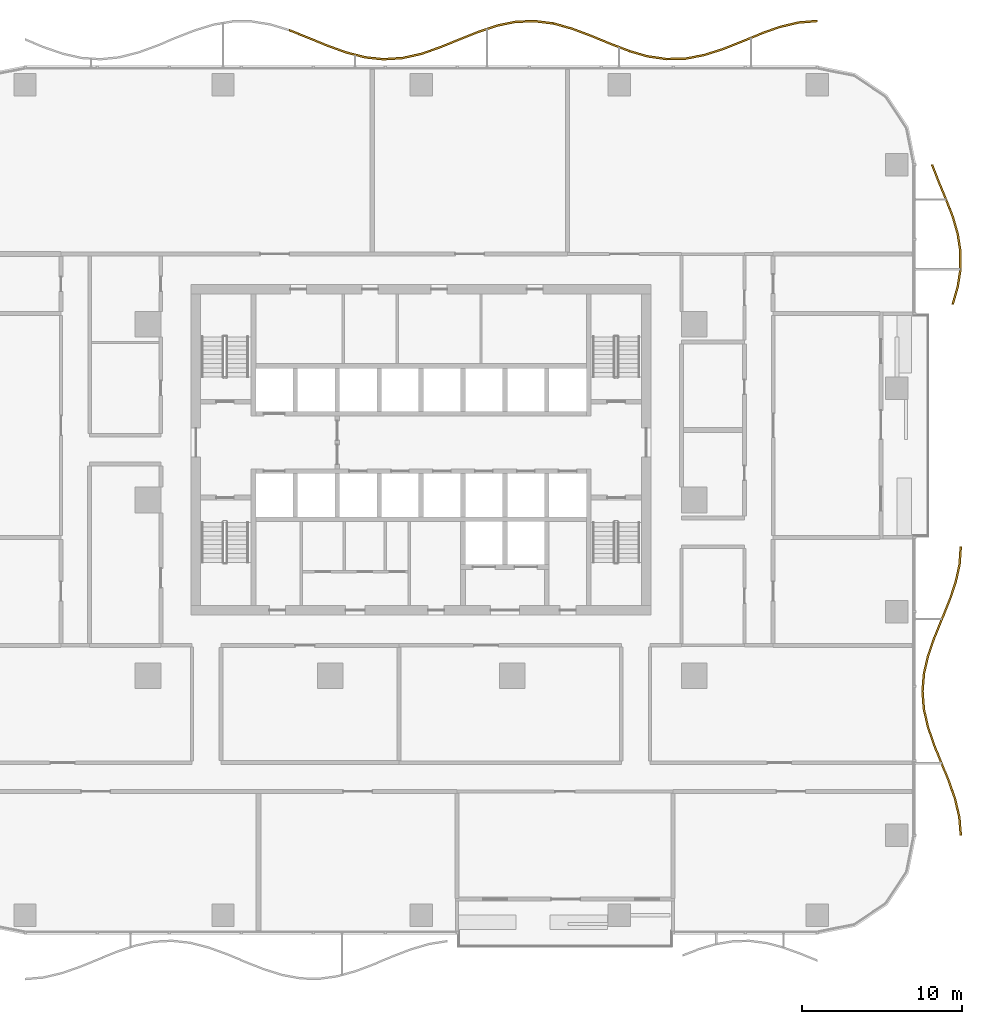
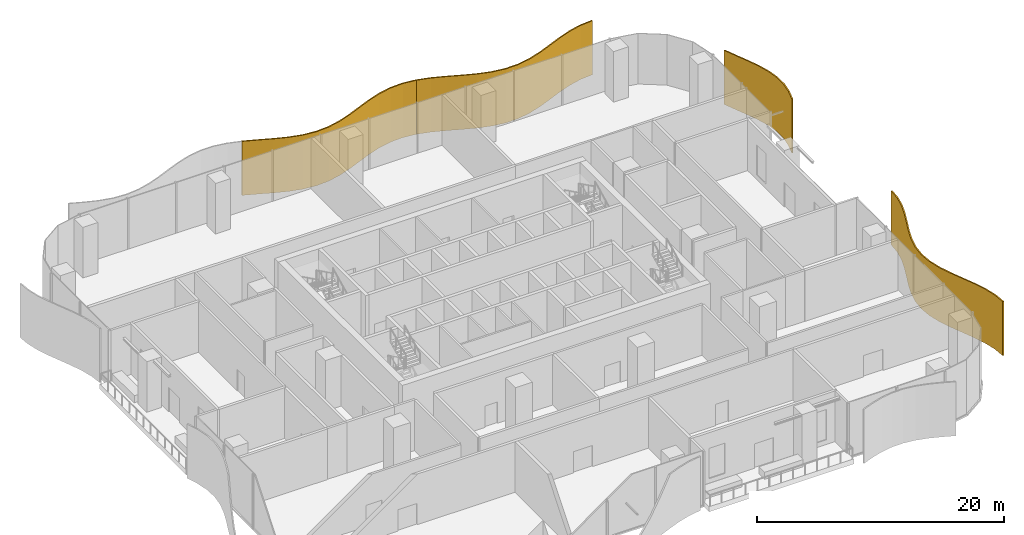
# One storey, part 20 of 20: 4 shading devices.
"""IFC4 building model written with IfcOpenShell, lengths in metres."""

import ifcopenshell
import ifcopenshell.guid

model = None  # the IFC model being written
_history = None  # IfcOwnerHistory: only IFC2X3 demands one
_inside = {}  # id of a spatial element -> (the spatial element, [elements in it])
_under = {}  # id of a project, library or spatial element -> (it, [spatial elements below it])
_declared = {}  # id of a project -> (the project, [libraries it declares])
_typed = {}  # id of a type object -> (the type object, [elements of that type])
_made_of = {}  # id of a material, layer set ... -> (it, [elements and type objects made of it])


def new_model(schema):
    """Start an empty IFC model of exactly this schema.

    Asked for "IFC4X3", IfcOpenShell would pick the latest addendum, in which some entities
    have other attributes; the version numbers below select the first issue.
    IFC2X3 requires an IfcOwnerHistory on every rooted entity: one is made here for all.
    """
    global model, _history
    if schema == "IFC4X3":
        model = ifcopenshell.file(schema_version=(4, 3, 0, 0))
    else:
        model = ifcopenshell.file(schema=schema)
    _inside.clear()
    _under.clear()
    _declared.clear()
    _typed.clear()
    _made_of.clear()
    _history = None
    if model.schema == "IFC2X3":
        org = make("IfcOrganization", Name="unknown")
        user = make(
            "IfcPersonAndOrganization",
            ThePerson=make("IfcPerson", FamilyName="unknown"),
            TheOrganization=org,
        )
        app = make(
            "IfcApplication",
            ApplicationDeveloper=org,
            Version="unknown",
            ApplicationFullName="unknown",
            ApplicationIdentifier="unknown",
        )
        _history = make(
            "IfcOwnerHistory",
            OwningUser=user,
            OwningApplication=app,
            ChangeAction="ADDED",
            CreationDate=0,
        )
    return model


def make(cls, **values):
    """One entity of the class cls with the attributes given. An attribute that is None is left unset."""
    return model.create_entity(
        cls, **{name: value for name, value in values.items() if value is not None}
    )


def rooted(cls, **values):
    """An entity with a GlobalId (a new one), such as an element, a storey or a relation."""
    return make(cls, GlobalId=ifcopenshell.guid.new(), OwnerHistory=_history, **values)


def si_unit(unit_type, name, prefix=None):
    """IfcSIUnit, for example si_unit("LENGTHUNIT", "METRE", prefix="MILLI")."""
    return make("IfcSIUnit", UnitType=unit_type, Prefix=prefix, Name=name)


def assignment(units):
    """IfcUnitAssignment: the units of a project."""
    return None if units is None else make("IfcUnitAssignment", Units=units)


def point(xyz):
    """IfcCartesianPoint."""
    return None if xyz is None else make("IfcCartesianPoint", Coordinates=xyz)


def direction(xyz):
    """IfcDirection."""
    return None if xyz is None else make("IfcDirection", DirectionRatios=xyz)


def frame(location, z_axis=None, x_axis=None):
    """IfcAxis2Placement3D, a coordinate frame: its origin and axes. An axis left out is left unset."""
    return make(
        "IfcAxis2Placement3D",
        Location=point(location),
        Axis=direction(z_axis),
        RefDirection=direction(x_axis),
    )


def origin():
    """The frame at (0, 0, 0) with its axes left unset."""
    return frame((0.0, 0.0, 0.0))


def place(relative_to, where):
    """IfcLocalPlacement: puts the frame where relative to a parent placement (None: the world)."""
    return make(
        "IfcLocalPlacement", PlacementRelTo=relative_to, RelativePlacement=where
    )


def context(
    kind, dimensions, precision=None, world=None, true_north=None, identifier=None
):
    """IfcGeometricRepresentationContext, for example the 3D "Model" context."""
    return make(
        "IfcGeometricRepresentationContext",
        ContextIdentifier=identifier,
        ContextType=kind,
        CoordinateSpaceDimension=dimensions,
        Precision=precision,
        WorldCoordinateSystem=world,
        TrueNorth=true_north,
    )


def subcontext(parent, identifier, kind, view, scale=None):
    """IfcGeometricRepresentationSubContext, for example "Body" below "Model"."""
    return make(
        "IfcGeometricRepresentationSubContext",
        ContextIdentifier=identifier,
        ContextType=kind,
        ParentContext=parent,
        TargetScale=scale,
        TargetView=view,
    )


def project(units=None, contexts=None):
    """IfcProject with its units and contexts."""
    return rooted(
        "IfcProject",
        Name="project",
        RepresentationContexts=contexts,
        UnitsInContext=assignment(units),
    )


def spatial(cls, under=None, at=None, **own):
    """A site, building, storey or space (cls), placed at a placement, below another one or the project."""
    s = rooted(cls, ObjectPlacement=at, **own)
    if under is not None:
        _under.setdefault(under.id(), (under, []))[1].append(s)
    return s


def polyline(points):
    """IfcPolyline through the points."""
    return make("IfcPolyline", Points=[point(p) for p in points])


def outline(outer, holes=None, kind="AREA"):
    """IfcArbitraryClosedProfileDef: a profile drawn as a closed curve; with holes, ...WithVoids."""
    if holes is None:
        return make("IfcArbitraryClosedProfileDef", ProfileType=kind, OuterCurve=outer)
    return make(
        "IfcArbitraryProfileDefWithVoids",
        ProfileType=kind,
        OuterCurve=outer,
        InnerCurves=holes,
    )


def extrude(swept, where, along, depth):
    """IfcExtrudedAreaSolid: the profile swept, set in the frame where, extruded along a direction by depth."""
    return make(
        "IfcExtrudedAreaSolid",
        SweptArea=swept,
        Position=where,
        ExtrudedDirection=direction(along),
        Depth=depth,
    )


def shape(context_of_items, identifier, shape_type, items):
    """IfcShapeRepresentation: the items that make up one representation, for example the "Body"."""
    return make(
        "IfcShapeRepresentation",
        ContextOfItems=context_of_items,
        RepresentationIdentifier=identifier,
        RepresentationType=shape_type,
        Items=items,
    )


def material(Name=None, Category=None):
    """IfcMaterial."""
    return make("IfcMaterial", Name=Name, Category=Category)


def layer(
    of_material, thickness, ventilated=None, Name=None, Category=None, Priority=None
):
    """IfcMaterialLayer: one layer of a wall or slab, of a material (None: an air gap)."""
    return make(
        "IfcMaterialLayer",
        Material=of_material,
        LayerThickness=thickness,
        IsVentilated=ventilated,
        Name=Name,
        Category=Category,
        Priority=Priority,
    )


def layer_set(layers, Name=None):
    """IfcMaterialLayerSet."""
    return make("IfcMaterialLayerSet", MaterialLayers=layers, LayerSetName=Name)


def made_of(thing, what):
    """Note that an element or type object is made of a material, layer set ...; save() writes the relation."""
    if what is not None:
        _made_of.setdefault(what.id(), (what, []))[1].append(thing)
    return thing


def type_object(cls, material=None, **own):
    """A type object (cls), such as IfcWallType, which elements share."""
    return made_of(rooted(cls, **own), material)


def element(
    cls,
    number,
    at=None,
    inside=None,
    cuts=None,
    type_object=None,
    material=None,
    context=None,
    identifier="Body",
    shape_type=None,
    held_by="IfcProductDefinitionShape",
    body=None,
    shapes=None,
    **own,
):
    """One element of the class cls, such as IfcWall. Its Tag is "e" and its number.

    at: its placement. inside: the storey or other place that contains it. cuts: it is an
    opening in that element (IfcRelVoidsElement). A single representation is given by context,
    identifier, shape_type and body (its items); several are given by shapes. held_by: the class
    of the entity that holds the representations. save() writes the other relations.
    """
    e = rooted(cls, Tag="e%d" % number, ObjectPlacement=at, **own)
    if body is not None:
        shapes = [shape(context, identifier, shape_type, body)]
    if shapes is not None:
        e.Representation = make(held_by, Representations=shapes)
    if inside is not None:
        _inside.setdefault(inside.id(), (inside, []))[1].append(e)
    if cuts is not None:
        rooted(
            "IfcRelVoidsElement", RelatingBuildingElement=cuts, RelatedOpeningElement=e
        )
    if type_object is not None:
        _typed.setdefault(type_object.id(), (type_object, []))[1].append(e)
    return made_of(e, material)


def aggregate(whole, parts):
    """IfcRelAggregates: a whole, such as a stair, and the parts it consists of."""
    return rooted("IfcRelAggregates", RelatingObject=whole, RelatedObjects=parts)


def save(model, path):
    """Write the relations noted so far, then the file.

    IfcRelAggregates (storeys below a building ...), IfcRelContainedInSpatialStructure (elements
    in a storey), IfcRelDefinesByType, IfcRelAssociatesMaterial and IfcRelDeclares: one each for
    every whole, place, type object, material and project.
    """
    for whole, parts in _under.values():
        aggregate(whole, parts)
    for where, things in _inside.values():
        rooted(
            "IfcRelContainedInSpatialStructure",
            RelatedElements=things,
            RelatingStructure=where,
        )
    for kind, things in _typed.values():
        rooted("IfcRelDefinesByType", RelatedObjects=things, RelatingType=kind)
    for what, things in _made_of.values():
        rooted("IfcRelAssociatesMaterial", RelatedObjects=things, RelatingMaterial=what)
    for by, libraries in _declared.values():
        rooted("IfcRelDeclares", RelatingContext=by, RelatedDefinitions=libraries)
    model.write(path)


model = new_model("IFC4")

# Units and contexts
model_context = context("Model", 3, precision=1e-05, world=origin(), true_north=direction((0.0, 1.0)))
body_context = subcontext(model_context, "Body", "Model", "MODEL_VIEW")
ifc_project = project(units=[si_unit("LENGTHUNIT", "METRE"), si_unit("AREAUNIT", "SQUARE_METRE"), si_unit("VOLUMEUNIT", "CUBIC_METRE"), si_unit("PLANEANGLEUNIT", "RADIAN"), si_unit("MASSUNIT", "GRAM", prefix="KILO")], contexts=[model_context])

# Site, building, storey
site_placement = place(None, origin())
site = spatial("IfcSite", under=ifc_project, at=site_placement, CompositionType="ELEMENT")
building_placement = place(site_placement, origin())
building = spatial("IfcBuilding", under=site, at=building_placement, Name="Mopane Tessera Tower", CompositionType="ELEMENT")
storey_placement = place(building_placement, frame((0.0, 0.0, 14.5)))
storey = spatial("IfcBuildingStorey", under=building, at=storey_placement, Name="L02", CompositionType="ELEMENT", Elevation=14.5)

# Shading devices
ifc_material = material(Name="Anodised aluminium louvre blades", Category="aluminium")
ifc_layer = layer(ifc_material, 0.1201171875)
ifc_layer_set = layer_set([ifc_layer], Name="Anodised aluminium louvre blades")
shading_device_type = type_object("IfcShadingDeviceType", Name="Wave louvre screen", PredefinedType="JALOUSIE", material=ifc_layer_set)
shading_device_1_placement = place(storey_placement, frame((0.0, 0.0, -0.340087890625)))
element("IfcShadingDevice", 1, at=shading_device_1_placement, inside=storey, type_object=shading_device_type, Name="e:lv:L02:E:0", PredefinedType="JALOUSIE", context=body_context, shape_type="SweptSolid", body=[
    extrude(outline(polyline([(33.739990234375, -21.0), (33.64794921875, -19.870849609375), (33.385986328125, -18.74169921875), (32.994384765625, -17.612548828125), (32.532958984375, -16.4833984375), (32.07275390625, -15.354248046875), (31.68408203125, -14.22509765625), (31.4267578125, -13.095947265625), (31.340087890625, -11.966552734375), (31.4375, -10.83740234375), (31.703857421875, -9.708251953125), (32.0986328125, -8.5791015625), (32.56103515625, -7.449951171875), (33.02001953125, -6.32080078125), (33.405517578125, -5.191650390625), (33.658447265625, -4.0625), (33.73974609375, -2.933349609375), (33.859619140625, -2.933349609375), (33.7783203125, -4.0625), (33.525634765625, -5.191650390625), (33.14013671875, -6.32080078125), (32.680908203125, -7.449951171875), (32.218505859375, -8.5791015625), (31.823974609375, -9.708251953125), (31.557373046875, -10.83740234375), (31.4599609375, -11.966552734375), (31.546630859375, -13.095947265625), (31.80419921875, -14.22509765625), (32.192626953125, -15.354248046875), (32.653076171875, -16.4833984375), (33.1142578125, -17.612548828125), (33.506103515625, -18.74169921875), (33.76806640625, -19.870849609375), (33.860107421875, -21.0), (33.739990234375, -21.0)])), origin(), (0.0, 0.0, 1.0), 5.340087890625),
])
shading_device_2_placement = place(storey_placement, frame((0.0, 0.0, -0.340087890625)))
element("IfcShadingDevice", 2, at=shading_device_2_placement, inside=storey, type_object=shading_device_type, Name="e:lv:L02:E:1", PredefinedType="JALOUSIE", context=body_context, shape_type="SweptSolid", body=[
    extrude(outline(polyline([(33.23388671875, 12.2666015625), (33.54833984375, 13.3583984375), (33.718017578125, 14.449951171875), (33.718505859375, 15.541748046875), (33.55029296875, 16.63330078125), (33.23681640625, 17.72509765625), (32.823486328125, 18.816650390625), (32.36962890625, 19.908447265625), (31.93994140625, 21.0), (32.06005859375, 21.0), (32.489501953125, 19.908447265625), (32.943603515625, 18.816650390625), (33.35693359375, 17.72509765625), (33.670166015625, 16.63330078125), (33.838623046875, 15.541748046875), (33.837890625, 14.449951171875), (33.668212890625, 13.3583984375), (33.35400390625, 12.2666015625), (33.23388671875, 12.2666015625)])), origin(), (0.0, 0.0, 1.0), 5.340087890625),
])
shading_device_3_placement = place(storey_placement, frame((0.0, 0.0, -0.340087890625)))
element("IfcShadingDevice", 3, at=shading_device_3_placement, inside=storey, type_object=shading_device_type, Name="e:lv:L02:N:0", PredefinedType="JALOUSIE", context=body_context, shape_type="SweptSolid", body=[
    extrude(outline(polyline([(24.800048828125, 29.93994140625), (23.619140625, 29.83935546875), (22.43798828125, 29.5546875), (21.257080078125, 29.133544921875), (20.076171875, 28.646240234375), (18.895263671875, 28.1748046875), (17.71435546875, 27.798095703125), (16.533447265625, 27.5791015625), (15.352294921875, 27.5546875), (14.17138671875, 27.728759765625), (12.990478515625, 28.072265625), (11.8095703125, 28.527587890625), (10.628662109375, 29.018798828125), (9.447509765625, 29.462890625), (8.2666015625, 29.7861328125), (8.2666015625, 29.90625), (9.447509765625, 29.5830078125), (10.628662109375, 29.138671875), (11.8095703125, 28.647705078125), (12.990478515625, 28.1923828125), (14.17138671875, 27.8486328125), (15.352294921875, 27.674560546875), (16.533447265625, 27.69921875), (17.71435546875, 27.91796875), (18.895263671875, 28.294921875), (20.076171875, 28.766357421875), (21.257080078125, 29.25341796875), (22.43798828125, 29.6748046875), (23.619140625, 29.95947265625), (24.800048828125, 30.06005859375), (24.800048828125, 29.93994140625)])), origin(), (0.0, 0.0, 1.0), 5.340087890625),
])
shading_device_4_placement = place(storey_placement, frame((0.0, 0.0, -0.340087890625)))
element("IfcShadingDevice", 4, at=shading_device_4_placement, inside=storey, type_object=shading_device_type, Name="e:lv:L02:N:1", PredefinedType="JALOUSIE", context=body_context, shape_type="SweptSolid", body=[
    extrude(outline(polyline([(8.2666015625, 29.7861328125), (7.085693359375, 29.93408203125), (5.90478515625, 29.8818359375), (4.723876953125, 29.638427734375), (3.54296875, 29.244384765625), (2.36181640625, 28.765869140625), (1.180908203125, 28.283203125), (0.0, 27.876708984375), (-1.180908203125, 27.615234375), (-2.36181640625, 27.5419921875), (-3.54296875, 27.66943359375), (-4.723876953125, 27.976318359375), (-5.90478515625, 28.4111328125), (-7.085693359375, 28.901123046875), (-8.2666015625, 29.364013671875), (-8.2666015625, 29.484130859375), (-7.085693359375, 29.02099609375), (-5.90478515625, 28.53125), (-4.723876953125, 28.096435546875), (-3.54296875, 27.78955078125), (-2.36181640625, 27.661865234375), (-1.180908203125, 27.735107421875), (0.0, 27.996826171875), (1.180908203125, 28.403076171875), (2.36181640625, 28.885986328125), (3.54296875, 29.364501953125), (4.723876953125, 29.75830078125), (5.90478515625, 30.001953125), (7.085693359375, 30.053955078125), (8.2666015625, 29.90625), (8.2666015625, 29.7861328125)])), origin(), (0.0, 0.0, 1.0), 5.340087890625),
])

save(model, "model.ifc")
